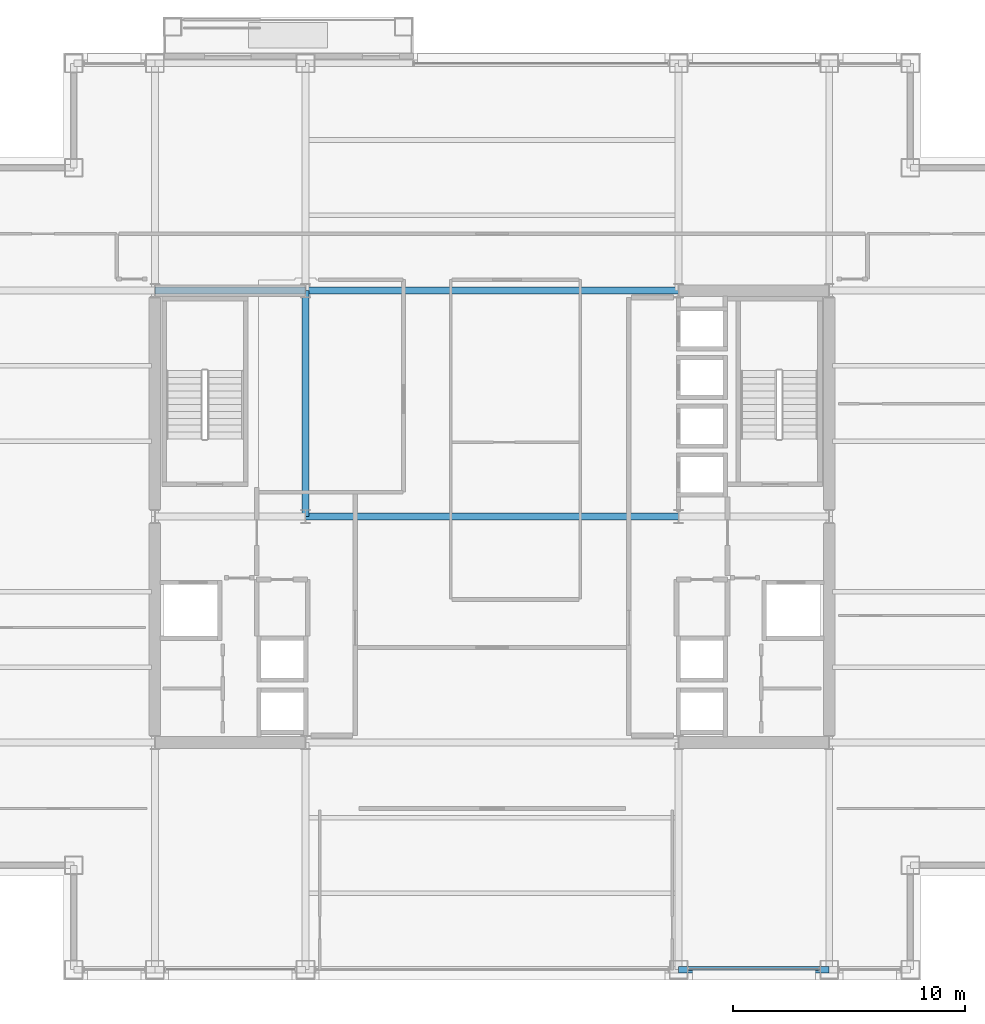
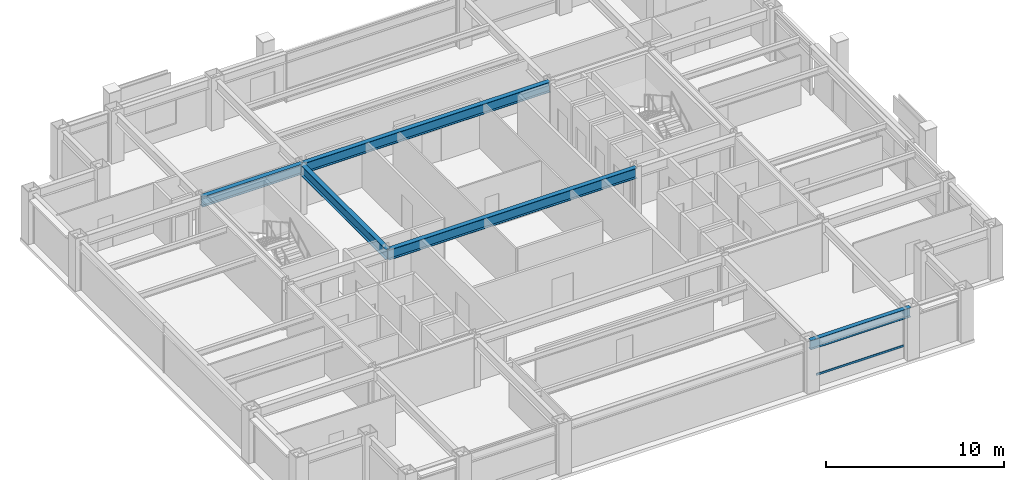
# One storey, part 11 of 29: 5 beams, 1 member, 1 element without a shape of its own.
"""IFC4 building model written with IfcOpenShell, lengths in metres."""

from ifc_helpers import new_model, si_unit, direction, frame, origin, origin_2d, place, context, subcontext, project, spatial, hollow_rectangle, i_section, extrude, material, layer, layer_set, material_profile, profile_set, type_object, element, aggregate, save


model = new_model("IFC4")

# Units and contexts
model_context = context("Model", 3, precision=1e-05, world=origin(), true_north=direction((0.0, 1.0)))
body_context = subcontext(model_context, "Body", "Model", "MODEL_VIEW")
ifc_project = project(units=[si_unit("LENGTHUNIT", "METRE"), si_unit("AREAUNIT", "SQUARE_METRE"), si_unit("VOLUMEUNIT", "CUBIC_METRE"), si_unit("PLANEANGLEUNIT", "RADIAN"), si_unit("MASSUNIT", "GRAM", prefix="KILO")], contexts=[model_context])

# Site, building, storey
site_placement = place(None, origin())
site = spatial("IfcSite", under=ifc_project, at=site_placement, CompositionType="ELEMENT")
building_placement = place(site_placement, origin())
building = spatial("IfcBuilding", under=site, at=building_placement, Name="Brelmoor Portico Tower", CompositionType="ELEMENT")
storey_placement = place(building_placement, frame((0.0, 0.0, 127.800048828125)))
storey = spatial("IfcBuildingStorey", under=building, at=storey_placement, Name="L33", CompositionType="ELEMENT", Elevation=127.800048828125)

# Beams
ifc_material_1 = material(Name="Steel Q355B", Category="steel")
ifc_material_profile_1 = material_profile(ifc_material_1, i_section(OverallWidth=0.300048828125, OverallDepth=0.699951171875, WebThickness=0.012939453125, FlangeThickness=0.02392578125, at=origin_2d()), Name="HN 700x300x13x24")
ifc_profile_set_1 = profile_set([ifc_material_profile_1], Name="Steel Q355B")
beam_type_1 = type_object("IfcBeamType", Name="BM-PG-700", PredefinedType="BEAM", material=ifc_profile_set_1)
beam_1_placement = place(storey_placement, frame((-8.050048828125, 0.0, 3.050048828125), z_axis=(0.0, 1.0, 0.0), x_axis=(-1.0, 0.0, 0.0)))
element("IfcBeam", 1, at=beam_1_placement, inside=storey, type_object=beam_type_1, Name="L33 Primary Floor Girder PG-06", PredefinedType="BEAM", context=body_context, shape_type="SweptSolid", body=[
    extrude(i_section(OverallWidth=0.300048828125, OverallDepth=0.699951171875, WebThickness=0.012939453125, FlangeThickness=0.02392578125, at=origin_2d()), origin(), (0.0, 0.0, 1.0), 9.75),
])
beam_2_placement = place(storey_placement, frame((-8.050048828125, 0.0, 3.050048828125), z_axis=(1.0, 0.0, 0.0), x_axis=(0.0, 1.0, 0.0)))
element("IfcBeam", 2, at=beam_2_placement, inside=storey, type_object=beam_type_1, Name="L33 Primary Floor Girder PG-20", PredefinedType="BEAM", context=body_context, shape_type="SweptSolid", body=[
    extrude(i_section(OverallWidth=0.300048828125, OverallDepth=0.699951171875, WebThickness=0.012939453125, FlangeThickness=0.02392578125, at=origin_2d()), origin(), (0.0, 0.0, 1.0), 16.10009765625),
])
beam_3_placement = place(storey_placement, frame((-14.550048828125, 9.75, 3.050048828125), z_axis=(1.0, 0.0, 0.0), x_axis=(0.0, 1.0, 0.0)))
element("IfcBeam", 3, at=beam_3_placement, inside=storey, type_object=beam_type_1, Name="L33 Primary Floor Girder PG-23", PredefinedType="BEAM", context=body_context, shape_type="SweptSolid", body=[
    extrude(i_section(OverallWidth=0.300048828125, OverallDepth=0.699951171875, WebThickness=0.012939453125, FlangeThickness=0.02392578125, at=origin_2d()), origin(), (0.0, 0.0, 1.0), 6.5),
])
beam_4_placement = place(storey_placement, frame((-8.050048828125, 9.75, 3.050048828125), z_axis=(1.0, 0.0, 0.0), x_axis=(0.0, 1.0, 0.0)))
element("IfcBeam", 4, at=beam_4_placement, inside=storey, type_object=beam_type_1, Name="L33 Primary Floor Girder PG-24", PredefinedType="BEAM", context=body_context, shape_type="SweptSolid", body=[
    extrude(i_section(OverallWidth=0.300048828125, OverallDepth=0.699951171875, WebThickness=0.012939453125, FlangeThickness=0.02392578125, at=origin_2d()), origin(), (0.0, 0.0, 1.0), 16.10009765625),
])
ifc_material_profile_2 = material_profile(ifc_material_1, i_section(OverallWidth=0.280029296875, OverallDepth=0.64990234375, WebThickness=0.012939453125, FlangeThickness=0.02197265625, at=origin_2d()), Name="HN 650x280x13x22")
ifc_profile_set_2 = profile_set([ifc_material_profile_2], Name="Steel Q355B")
beam_type_2 = type_object("IfcBeamType", Name="BM-SP-650", PredefinedType="SPANDREL", material=ifc_profile_set_2)
beam_5_placement = place(storey_placement, frame((8.050048828125, -19.550048828125, 3.074951171875), z_axis=(1.0, 0.0, 0.0), x_axis=(0.0, 1.0, 0.0)))
element("IfcBeam", 5, at=beam_5_placement, inside=storey, type_object=beam_type_2, Name="L33 Perimeter Spandrel Beam SP-04", PredefinedType="SPANDREL", context=body_context, shape_type="SweptSolid", body=[
    extrude(i_section(OverallWidth=0.280029296875, OverallDepth=0.64990234375, WebThickness=0.012939453125, FlangeThickness=0.02197265625, at=origin_2d()), origin(), (0.0, 0.0, 1.0), 6.5),
])

# Curtain wall, member
ifc_material_2 = material(Name="Anodised Aluminium Alloy 6063-T6", Category="aluminium")
ifc_layer = layer(ifc_material_2, 0.179931640625)
ifc_layer_set = layer_set([ifc_layer], Name="Anodised Aluminium Alloy 6063-T6")
curtain_wall_type = type_object("IfcCurtainWallType", Name="CW-TOWER-Z2", PredefinedType="NOTDEFINED", material=ifc_layer_set)
curtain_wall_placement = place(storey_placement, origin())
curtain_wall = element("IfcCurtainWall", 6, at=curtain_wall_placement, inside=storey, type_object=curtain_wall_type, Name="L33 Curtain Wall CW-L33-01-4", PredefinedType="NOTDEFINED")
ifc_material_profile_3 = material_profile(ifc_material_2, hollow_rectangle(XDim=0.06494140625, YDim=0.139892578125, WallThickness=0.00390625, at=origin_2d()), Name="ALU TRANSOM 65x140")
ifc_profile_set_3 = profile_set([ifc_material_profile_3], Name="Anodised Aluminium Alloy 6063-T6")
member_type = type_object("IfcMemberType", Name="MB-CW-TRAN-140", PredefinedType="USERDEFINED", material=ifc_profile_set_3)
member_placement = place(storey_placement, frame((8.4599609375, -19.550048828125, 0.849853515625), z_axis=(1.0, 0.0, 0.0), x_axis=(0.0, 1.0, 0.0)))
member = element("IfcMember", 7, at=member_placement, type_object=member_type, Name="CW-L33-01-4 Transom 1-00", ObjectType="TRANSOM", PredefinedType="USERDEFINED", context=body_context, shape_type="SweptSolid", body=[
    extrude(hollow_rectangle(XDim=0.06494140625, YDim=0.139892578125, WallThickness=0.00390625, at=origin_2d()), origin(), (0.0, 0.0, 1.0), 5.679931640625),
])
aggregate(curtain_wall, [member])

save(model, "model.ifc")
